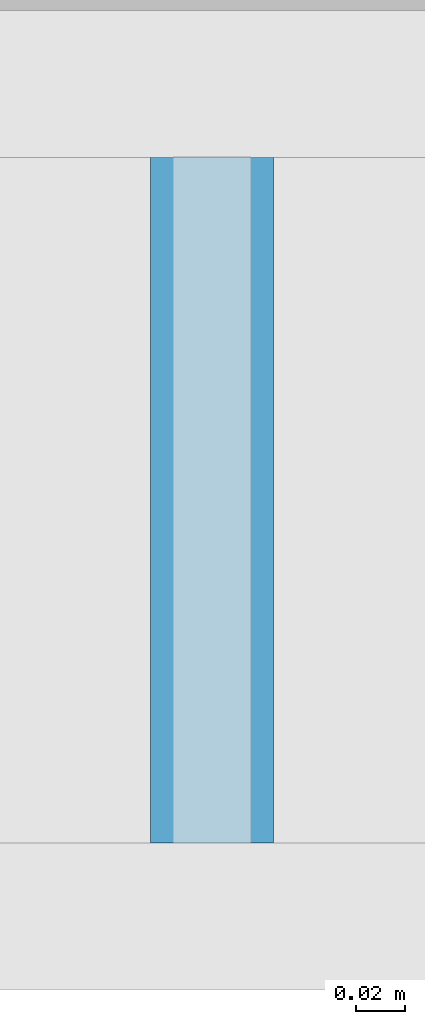
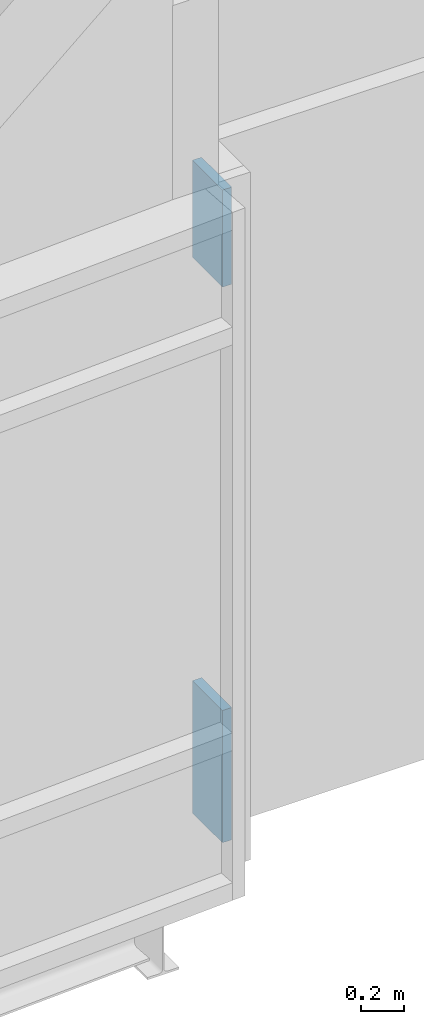
# One storey, part 16 of 23: 2 plates, 1 element without a shape of its own.
"""IFC4 building model written with IfcOpenShell, lengths in metres."""

from ifc_helpers import new_model, si_unit, direction, frame, origin, origin_2d, place, context, subcontext, project, spatial, rectangle, extrude, material, layer, layer_set, type_object, element, aggregate, save


model = new_model("IFC4")

# Units and contexts
model_context = context("Model", 3, precision=1e-05, world=origin(), true_north=direction((0.0, 1.0)))
body_context = subcontext(model_context, "Body", "Model", "MODEL_VIEW")
ifc_project = project(units=[si_unit("LENGTHUNIT", "METRE"), si_unit("AREAUNIT", "SQUARE_METRE"), si_unit("VOLUMEUNIT", "CUBIC_METRE"), si_unit("PLANEANGLEUNIT", "RADIAN"), si_unit("MASSUNIT", "GRAM", prefix="KILO")], contexts=[model_context])

# Site, building, storey
site_placement = place(None, origin())
site = spatial("IfcSite", under=ifc_project, at=site_placement, CompositionType="ELEMENT")
building_placement = place(site_placement, origin())
building = spatial("IfcBuilding", under=site, at=building_placement, Name="Azimuth Sports and Learning Centre", CompositionType="ELEMENT")
storey_placement = place(building_placement, frame((0.0, 0.0, 75.300048828125)))
storey = spatial("IfcBuildingStorey", under=building, at=storey_placement, Name="L17", CompositionType="ELEMENT", Elevation=75.300048828125)

# Curtain wall, plates
ifc_material_1 = material(Name="Aluminium and glass", Category="aluminium")
curtain_wall_type = type_object("IfcCurtainWallType", Name="Curtain wall tower return 180", PredefinedType="NOTDEFINED", material=ifc_material_1)
curtain_wall_placement = place(storey_placement, origin())
curtain_wall = element("IfcCurtainWall", 1, at=curtain_wall_placement, inside=storey, type_object=curtain_wall_type, Name="Curtain wall CW17-007", PredefinedType="NOTDEFINED")
ifc_material_2 = material(Name="Insulated aluminium panel", Category="aluminium")
ifc_layer = layer(ifc_material_2, 0.050048828125)
ifc_layer_set = layer_set([ifc_layer], Name="Insulated aluminium panel")
plate_type = type_object("IfcPlateType", Name="Spandrel panel 50 mm", PredefinedType="CURTAIN_PANEL", material=ifc_layer_set)
plate_1_placement = place(storey_placement, frame((108.090087890625, 89.60009765625, 0.099853515625), z_axis=(0.0, 0.0, 1.0), x_axis=(0.0, 1.0, 0.0)))
plate_1 = element("IfcPlate", 2, at=plate_1_placement, type_object=plate_type, Name="CW17-007 panel 1.1", PredefinedType="CURTAIN_PANEL", context=body_context, shape_type="SweptSolid", body=[
    extrude(rectangle(XDim=0.280029296875, YDim=0.050048828125, at=origin_2d()), origin(), (0.0, 0.0, 1.0), 0.75),
])
plate_2_placement = place(storey_placement, frame((108.090087890625, 89.60009765625, 3.25), z_axis=(0.0, 0.0, 1.0), x_axis=(0.0, 1.0, 0.0)))
plate_2 = element("IfcPlate", 3, at=plate_2_placement, type_object=plate_type, Name="CW17-007 panel 1.3", PredefinedType="CURTAIN_PANEL", context=body_context, shape_type="SweptSolid", body=[
    extrude(rectangle(XDim=0.280029296875, YDim=0.050048828125, at=origin_2d()), origin(), (0.0, 0.0, 1.0), 0.550048828125),
])
aggregate(curtain_wall, [plate_1, plate_2])

save(model, "model.ifc")
